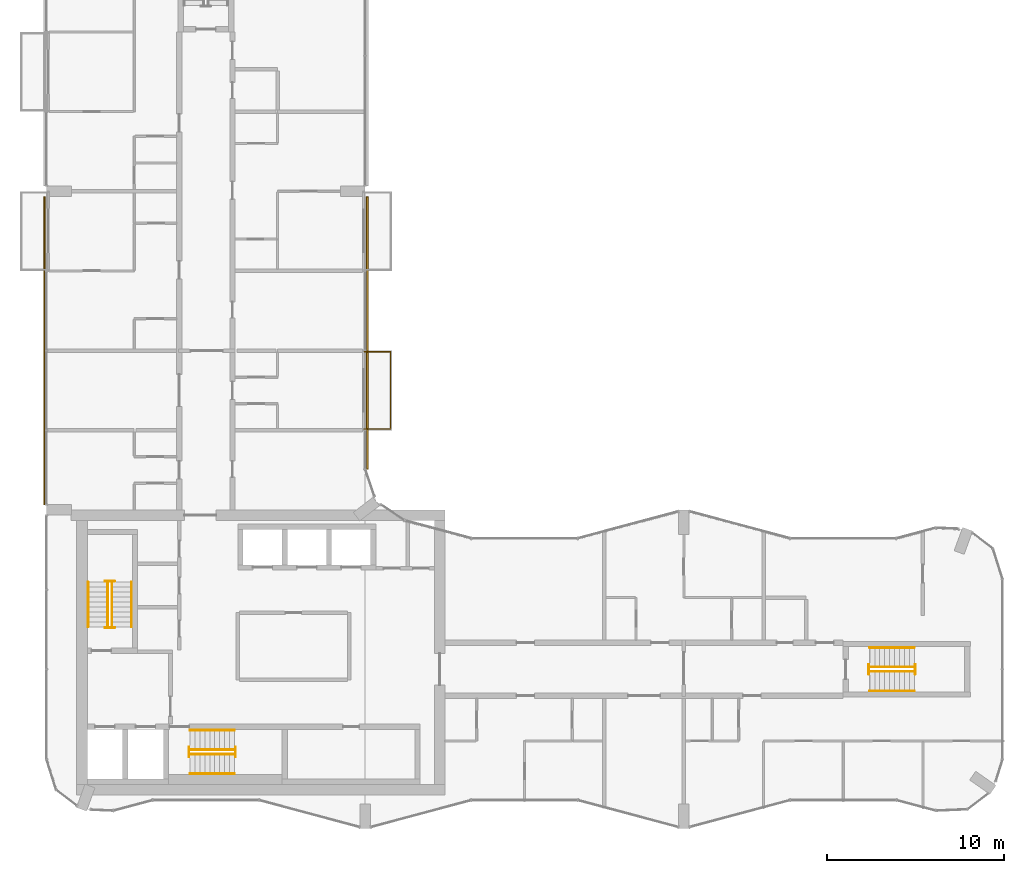
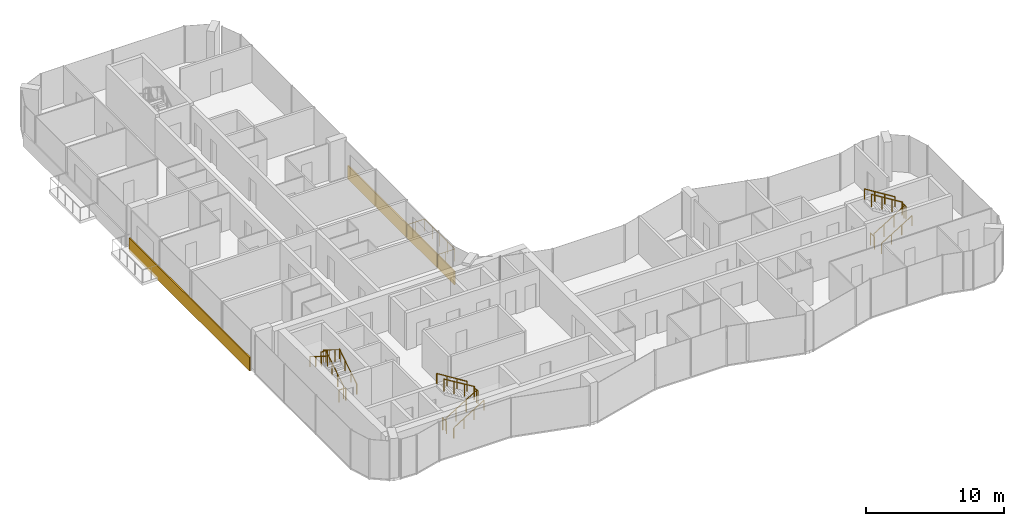
# One storey, part 14 of 15: 19 railings, 2 coverings.
"""IFC4 building model written with IfcOpenShell, lengths in metres."""

from ifc_helpers import new_model, si_unit, direction, frame, origin, origin_2d, place, context, subcontext, project, spatial, rectangle, circle, extrude, material, layer, layer_set, type_object, element, save


model = new_model("IFC4")

# Units and contexts
model_context = context("Model", 3, precision=1e-05, world=origin(), true_north=direction((0.0, 1.0)))
body_context = subcontext(model_context, "Body", "Model", "MODEL_VIEW")
ifc_project = project(units=[si_unit("LENGTHUNIT", "METRE"), si_unit("AREAUNIT", "SQUARE_METRE"), si_unit("VOLUMEUNIT", "CUBIC_METRE"), si_unit("PLANEANGLEUNIT", "RADIAN"), si_unit("MASSUNIT", "GRAM", prefix="KILO")], contexts=[model_context])

# Site, building, storey
site_placement = place(None, origin())
site = spatial("IfcSite", under=ifc_project, at=site_placement, CompositionType="ELEMENT")
building_placement = place(site_placement, origin())
building = spatial("IfcBuilding", under=site, at=building_placement, Name="Plateau Cross Towers", CompositionType="ELEMENT")
storey_placement = place(building_placement, frame((0.0, 0.0, 149.89990234375)))
storey = spatial("IfcBuildingStorey", under=building, at=storey_placement, Name="L38", CompositionType="ELEMENT", Elevation=149.89990234375)

# Railings
ifc_material_1 = material(Name="Stainless steel and toughened glass", Category="steel")
railing_type_1 = type_object("IfcRailingType", Name="Glass balustrade guard 1100", PredefinedType="GUARDRAIL", material=ifc_material_1)
railing_1_placement = place(storey_placement, frame((17.949951171875, 26.929931640625, 0.0)))
element("IfcRailing", 1, at=railing_1_placement, inside=storey, type_object=railing_type_1, Name="Guard guard1", PredefinedType="GUARDRAIL", context=body_context, shape_type="SweptSolid", body=[
    extrude(circle(Radius=0.02392578125, at=origin_2d()), frame((0.0, 0.0, 1.076171875), z_axis=(1.0, 0.0, 0.0), x_axis=(0.0, 1.0, 0.0)), (0.0, 0.0, 1.0), 1.47998046875),
    extrude(circle(Radius=0.02392578125, at=origin_2d()), frame((1.47998046875, 0.0, 1.076171875), z_axis=(0.0, -1.0, 0.0), x_axis=(1.0, 0.0, 0.0)), (0.0, 0.0, 1.0), 4.35986328125),
    extrude(circle(Radius=0.02392578125, at=origin_2d()), frame((1.47998046875, -4.35986328125, 1.076171875), z_axis=(-1.0, 0.0, 0.0), x_axis=(0.0, -1.0, 0.0)), (0.0, 0.0, 1.0), 1.47998046875),
    extrude(circle(Radius=0.02099609375, at=origin_2d()), origin(), (0.0, 0.0, 1.0), 1.052001953125),
    extrude(circle(Radius=0.02099609375, at=origin_2d()), frame((0.739990234375, 0.0, 0.0)), (0.0, 0.0, 1.0), 1.052001953125),
    extrude(circle(Radius=0.02099609375, at=origin_2d()), frame((1.47998046875, 0.0, 0.0)), (0.0, 0.0, 1.0), 1.052001953125),
    extrude(circle(Radius=0.02099609375, at=origin_2d()), frame((1.47998046875, -1.08984375, 0.0)), (0.0, 0.0, 1.0), 1.052001953125),
    extrude(circle(Radius=0.02099609375, at=origin_2d()), frame((1.47998046875, -2.179931640625, 0.0)), (0.0, 0.0, 1.0), 1.052001953125),
    extrude(circle(Radius=0.02099609375, at=origin_2d()), frame((1.47998046875, -3.27001953125, 0.0)), (0.0, 0.0, 1.0), 1.052001953125),
    extrude(circle(Radius=0.02099609375, at=origin_2d()), frame((1.47998046875, -4.35986328125, 0.0)), (0.0, 0.0, 1.0), 1.052001953125),
    extrude(circle(Radius=0.02099609375, at=origin_2d()), frame((0.739990234375, -4.35986328125, 0.0)), (0.0, 0.0, 1.0), 1.052001953125),
    extrude(circle(Radius=0.02099609375, at=origin_2d()), frame((0.0, -4.35986328125, 0.0)), (0.0, 0.0, 1.0), 1.052001953125),
])
railing_type_2 = type_object("IfcRailingType", Name="RL-GUARD-1100", PredefinedType="GUARDRAIL", material=ifc_material_1)
railing_2_placement = place(storey_placement, frame((3.699951171875, 11.39990234375, 0.175048828125)))
element("IfcRailing", 2, at=railing_2_placement, inside=storey, type_object=railing_type_2, Name="L38 ST-1 stair guard 1", PredefinedType="GUARDRAIL", context=body_context, shape_type="SweptSolid", body=[
    extrude(circle(Radius=0.02392578125, at=origin_2d()), frame((0.0, 0.0, 1.076171875), z_axis=(0.0, 0.848007534815, 0.529984170421), x_axis=(-1.0, 0.0, 0.0)), (0.0, 0.0, 1.0), 2.9716796875),
    extrude(circle(Radius=0.02099609375, at=origin_2d()), origin(), (0.0, 0.0, 1.0), 1.052001953125),
    extrude(circle(Radius=0.02099609375, at=origin_2d()), frame((0.0, 0.840087890625, 0.52490234375)), (0.0, 0.0, 1.0), 1.052001953125),
    extrude(circle(Radius=0.02099609375, at=origin_2d()), frame((0.0, 1.679931640625, 1.050048828125)), (0.0, 0.0, 1.0), 1.052001953125),
    extrude(circle(Radius=0.02099609375, at=origin_2d()), frame((0.0, 2.52001953125, 1.574951171875)), (0.0, 0.0, 1.0), 1.052001953125),
])
railing_3_placement = place(storey_placement, frame((3.85009765625, 13.969970703125, 1.75)))
element("IfcRailing", 3, at=railing_3_placement, inside=storey, type_object=railing_type_2, Name="L38 ST-1 stair guard 2", PredefinedType="GUARDRAIL", context=body_context, shape_type="SweptSolid", body=[
    extrude(circle(Radius=0.02392578125, at=origin_2d()), frame((0.0, 0.0, 1.076171875), z_axis=(-1.0, 0.0, 0.0), x_axis=(0.0, -1.0, 0.0)), (0.0, 0.0, 1.0), 0.550048828125),
    extrude(circle(Radius=0.02099609375, at=origin_2d()), origin(), (0.0, 0.0, 1.0), 1.052001953125),
    extrude(circle(Radius=0.02099609375, at=origin_2d()), frame((-0.550048828125, 0.0, 0.0)), (0.0, 0.0, 1.0), 1.052001953125),
])
railing_4_placement = place(storey_placement, frame((3.449951171875, 13.919921875, 1.925048828125)))
element("IfcRailing", 4, at=railing_4_placement, inside=storey, type_object=railing_type_2, Name="L38 ST-1 stair guard 3", PredefinedType="GUARDRAIL", context=body_context, shape_type="SweptSolid", body=[
    extrude(circle(Radius=0.02392578125, at=origin_2d()), frame((0.0, 0.0, 1.076171875), z_axis=(0.0, -0.852616386126, 0.522537365276), x_axis=(1.0, 0.0, 0.0)), (0.0, 0.0, 1.0), 3.01416015625),
    extrude(circle(Radius=0.02099609375, at=origin_2d()), origin(), (0.0, 0.0, 1.0), 1.052001953125),
    extrude(circle(Radius=0.02099609375, at=origin_2d()), frame((0.0, -0.856689453125, 0.52490234375)), (0.0, 0.0, 1.0), 1.052001953125),
    extrude(circle(Radius=0.02099609375, at=origin_2d()), frame((0.0, -1.713134765625, 1.050048828125)), (0.0, 0.0, 1.0), 1.052001953125),
    extrude(circle(Radius=0.02099609375, at=origin_2d()), frame((0.0, -2.56982421875, 1.574951171875)), (0.0, 0.0, 1.0), 1.052001953125),
])
railing_5_placement = place(storey_placement, frame((3.85009765625, 11.35009765625, 0.0)))
element("IfcRailing", 5, at=railing_5_placement, inside=storey, type_object=railing_type_2, Name="L38 ST-1 stair guard 4", PredefinedType="GUARDRAIL", context=body_context, shape_type="SweptSolid", body=[
    extrude(circle(Radius=0.02392578125, at=origin_2d()), frame((0.0, 0.0, 1.076171875), z_axis=(-1.0, 0.0, 0.0), x_axis=(0.0, -1.0, 0.0)), (0.0, 0.0, 1.0), 0.550048828125),
    extrude(circle(Radius=0.02099609375, at=origin_2d()), origin(), (0.0, 0.0, 1.0), 1.052001953125),
    extrude(circle(Radius=0.02099609375, at=origin_2d()), frame((-0.550048828125, 0.0, 0.0)), (0.0, 0.0, 1.0), 1.052001953125),
])
railing_6_placement = place(storey_placement, frame((8.10009765625, 4.199951171875, 0.175048828125)))
element("IfcRailing", 6, at=railing_6_placement, inside=storey, type_object=railing_type_2, Name="L38 ST-2 stair guard 1", PredefinedType="GUARDRAIL", context=body_context, shape_type="SweptSolid", body=[
    extrude(circle(Radius=0.02392578125, at=origin_2d()), frame((0.0, 0.0, 1.076171875), z_axis=(0.848007534815, 0.0, 0.529984170421), x_axis=(0.0, 1.0, 0.0)), (0.0, 0.0, 1.0), 2.9716796875),
    extrude(circle(Radius=0.02099609375, at=origin_2d()), origin(), (0.0, 0.0, 1.0), 1.052001953125),
    extrude(circle(Radius=0.02099609375, at=origin_2d()), frame((0.840087890625, 0.0, 0.52490234375)), (0.0, 0.0, 1.0), 1.052001953125),
    extrude(circle(Radius=0.02099609375, at=origin_2d()), frame((1.679931640625, 0.0, 1.050048828125)), (0.0, 0.0, 1.0), 1.052001953125),
    extrude(circle(Radius=0.02099609375, at=origin_2d()), frame((2.52001953125, 0.0, 1.574951171875)), (0.0, 0.0, 1.0), 1.052001953125),
])
railing_7_placement = place(storey_placement, frame((10.669921875, 4.050048828125, 1.75)))
element("IfcRailing", 7, at=railing_7_placement, inside=storey, type_object=railing_type_2, Name="L38 ST-2 stair guard 2", PredefinedType="GUARDRAIL", context=body_context, shape_type="SweptSolid", body=[
    extrude(circle(Radius=0.02392578125, at=origin_2d()), frame((0.0, 0.0, 1.076171875), z_axis=(0.0, 1.0, 0.0), x_axis=(-1.0, 0.0, 0.0)), (0.0, 0.0, 1.0), 0.550048828125),
    extrude(circle(Radius=0.02099609375, at=origin_2d()), origin(), (0.0, 0.0, 1.0), 1.052001953125),
    extrude(circle(Radius=0.02099609375, at=origin_2d()), frame((0.0, 0.550048828125, 0.0)), (0.0, 0.0, 1.0), 1.052001953125),
])
railing_8_placement = place(storey_placement, frame((10.6201171875, 4.449951171875, 1.925048828125)))
element("IfcRailing", 8, at=railing_8_placement, inside=storey, type_object=railing_type_2, Name="L38 ST-2 stair guard 3", PredefinedType="GUARDRAIL", context=body_context, shape_type="SweptSolid", body=[
    extrude(circle(Radius=0.02392578125, at=origin_2d()), frame((0.0, 0.0, 1.076171875), z_axis=(-0.852638500773, 0.0, 0.522501279423), x_axis=(0.0, -1.0, 0.0)), (0.0, 0.0, 1.0), 3.01416015625),
    extrude(circle(Radius=0.02099609375, at=origin_2d()), origin(), (0.0, 0.0, 1.0), 1.052001953125),
    extrude(circle(Radius=0.02099609375, at=origin_2d()), frame((-0.856689453125, 0.0, 0.52490234375)), (0.0, 0.0, 1.0), 1.052001953125),
    extrude(circle(Radius=0.02099609375, at=origin_2d()), frame((-1.71337890625, 0.0, 1.050048828125)), (0.0, 0.0, 1.0), 1.052001953125),
    extrude(circle(Radius=0.02099609375, at=origin_2d()), frame((-2.570068359375, 0.0, 1.574951171875)), (0.0, 0.0, 1.0), 1.052001953125),
])
railing_9_placement = place(storey_placement, frame((8.050048828125, 4.050048828125, 0.0)))
element("IfcRailing", 9, at=railing_9_placement, inside=storey, type_object=railing_type_2, Name="L38 ST-2 stair guard 4", PredefinedType="GUARDRAIL", context=body_context, shape_type="SweptSolid", body=[
    extrude(circle(Radius=0.02392578125, at=origin_2d()), frame((0.0, 0.0, 1.076171875), z_axis=(0.0, 1.0, 0.0), x_axis=(-1.0, 0.0, 0.0)), (0.0, 0.0, 1.0), 0.550048828125),
    extrude(circle(Radius=0.02099609375, at=origin_2d()), origin(), (0.0, 0.0, 1.0), 1.052001953125),
    extrude(circle(Radius=0.02099609375, at=origin_2d()), frame((0.0, 0.550048828125, 0.0)), (0.0, 0.0, 1.0), 1.052001953125),
])
railing_10_placement = place(storey_placement, frame((46.5, 8.875, 0.175048828125)))
element("IfcRailing", 10, at=railing_10_placement, inside=storey, type_object=railing_type_2, Name="L38 ES-E stair guard 1", PredefinedType="GUARDRAIL", context=body_context, shape_type="SweptSolid", body=[
    extrude(circle(Radius=0.02392578125, at=origin_2d()), frame((0.0, 0.0, 1.076171875), z_axis=(0.848007534815, 0.0, 0.529984170421), x_axis=(0.0, 1.0, 0.0)), (0.0, 0.0, 1.0), 2.9716796875),
    extrude(circle(Radius=0.02099609375, at=origin_2d()), origin(), (0.0, 0.0, 1.0), 1.052001953125),
    extrude(circle(Radius=0.02099609375, at=origin_2d()), frame((0.840087890625, 0.0, 0.52490234375)), (0.0, 0.0, 1.0), 1.052001953125),
    extrude(circle(Radius=0.02099609375, at=origin_2d()), frame((1.679931640625, 0.0, 1.050048828125)), (0.0, 0.0, 1.0), 1.052001953125),
    extrude(circle(Radius=0.02099609375, at=origin_2d()), frame((2.52001953125, 0.0, 1.574951171875)), (0.0, 0.0, 1.0), 1.052001953125),
])
railing_11_placement = place(storey_placement, frame((49.070068359375, 8.72509765625, 1.75)))
element("IfcRailing", 11, at=railing_11_placement, inside=storey, type_object=railing_type_2, Name="L38 ES-E stair guard 2", PredefinedType="GUARDRAIL", context=body_context, shape_type="SweptSolid", body=[
    extrude(circle(Radius=0.02392578125, at=origin_2d()), frame((0.0, 0.0, 1.076171875), z_axis=(0.0, 1.0, 0.0), x_axis=(-1.0, 0.0, 0.0)), (0.0, 0.0, 1.0), 0.5498046875),
    extrude(circle(Radius=0.02099609375, at=origin_2d()), origin(), (0.0, 0.0, 1.0), 1.052001953125),
    extrude(circle(Radius=0.02099609375, at=origin_2d()), frame((0.0, 0.5498046875, 0.0)), (0.0, 0.0, 1.0), 1.052001953125),
])
railing_12_placement = place(storey_placement, frame((49.02001953125, 9.125, 1.925048828125)))
element("IfcRailing", 12, at=railing_12_placement, inside=storey, type_object=railing_type_2, Name="L38 ES-E stair guard 3", PredefinedType="GUARDRAIL", context=body_context, shape_type="SweptSolid", body=[
    extrude(circle(Radius=0.02392578125, at=origin_2d()), frame((0.0, 0.0, 1.076171875), z_axis=(-0.852638500773, 0.0, 0.522501279423), x_axis=(0.0, -1.0, 0.0)), (0.0, 0.0, 1.0), 3.01416015625),
    extrude(circle(Radius=0.02099609375, at=origin_2d()), origin(), (0.0, 0.0, 1.0), 1.052001953125),
    extrude(circle(Radius=0.02099609375, at=origin_2d()), frame((-0.856689453125, 0.0, 0.52490234375)), (0.0, 0.0, 1.0), 1.052001953125),
    extrude(circle(Radius=0.02099609375, at=origin_2d()), frame((-1.71337890625, 0.0, 1.050048828125)), (0.0, 0.0, 1.0), 1.052001953125),
    extrude(circle(Radius=0.02099609375, at=origin_2d()), frame((-2.570068359375, 0.0, 1.574951171875)), (0.0, 0.0, 1.0), 1.052001953125),
])
railing_13_placement = place(storey_placement, frame((46.449951171875, 8.72509765625, 0.0)))
element("IfcRailing", 13, at=railing_13_placement, inside=storey, type_object=railing_type_2, Name="L38 ES-E stair guard 4", PredefinedType="GUARDRAIL", context=body_context, shape_type="SweptSolid", body=[
    extrude(circle(Radius=0.02392578125, at=origin_2d()), frame((0.0, 0.0, 1.076171875), z_axis=(0.0, 1.0, 0.0), x_axis=(-1.0, 0.0, 0.0)), (0.0, 0.0, 1.0), 0.5498046875),
    extrude(circle(Radius=0.02099609375, at=origin_2d()), origin(), (0.0, 0.0, 1.0), 1.052001953125),
    extrude(circle(Radius=0.02099609375, at=origin_2d()), frame((0.0, 0.5498046875, 0.0)), (0.0, 0.0, 1.0), 1.052001953125),
])
ifc_material_2 = material(Name="Black anodised aluminium", Category="aluminium")
railing_type_3 = type_object("IfcRailingType", Name="RL-HANDRAIL-900", PredefinedType="HANDRAIL", material=ifc_material_2)
railing_14_placement = place(storey_placement, frame((4.800048828125, 11.39990234375, 0.175048828125)))
element("IfcRailing", 14, at=railing_14_placement, inside=storey, type_object=railing_type_3, Name="L38 ST-1 stair handrail 1", PredefinedType="HANDRAIL", context=body_context, shape_type="SweptSolid", body=[
    extrude(circle(Radius=0.02392578125, at=origin_2d()), frame((0.0, 0.0, 0.8759765625), z_axis=(0.0, 0.848007534815, 0.529984170421), x_axis=(-1.0, 0.0, 0.0)), (0.0, 0.0, 1.0), 2.9716796875),
    extrude(circle(Radius=0.02099609375, at=origin_2d()), origin(), (0.0, 0.0, 1.0), 0.851806640625),
    extrude(circle(Radius=0.02099609375, at=origin_2d()), frame((0.0, 0.840087890625, 0.52490234375)), (0.0, 0.0, 1.0), 0.851806640625),
    extrude(circle(Radius=0.02099609375, at=origin_2d()), frame((0.0, 1.679931640625, 1.050048828125)), (0.0, 0.0, 1.0), 0.851806640625),
    extrude(circle(Radius=0.02099609375, at=origin_2d()), frame((0.0, 2.52001953125, 1.574951171875)), (0.0, 0.0, 1.0), 0.851806640625),
])
railing_15_placement = place(storey_placement, frame((2.35009765625, 13.919921875, 1.925048828125)))
element("IfcRailing", 15, at=railing_15_placement, inside=storey, type_object=railing_type_3, Name="L38 ST-1 stair handrail 2", PredefinedType="HANDRAIL", context=body_context, shape_type="SweptSolid", body=[
    extrude(circle(Radius=0.02392578125, at=origin_2d()), frame((0.0, 0.0, 0.8759765625), z_axis=(0.0, -0.848007534815, 0.529984170421), x_axis=(1.0, 0.0, 0.0)), (0.0, 0.0, 1.0), 2.9716796875),
    extrude(circle(Radius=0.02099609375, at=origin_2d()), origin(), (0.0, 0.0, 1.0), 0.851806640625),
    extrude(circle(Radius=0.02099609375, at=origin_2d()), frame((0.0, -0.840087890625, 0.52490234375)), (0.0, 0.0, 1.0), 0.851806640625),
    extrude(circle(Radius=0.02099609375, at=origin_2d()), frame((0.0, -1.679931640625, 1.050048828125)), (0.0, 0.0, 1.0), 0.851806640625),
    extrude(circle(Radius=0.02099609375, at=origin_2d()), frame((0.0, -2.52001953125, 1.574951171875)), (0.0, 0.0, 1.0), 0.851806640625),
])
railing_16_placement = place(storey_placement, frame((8.10009765625, 3.10009765625, 0.175048828125)))
element("IfcRailing", 16, at=railing_16_placement, inside=storey, type_object=railing_type_3, Name="L38 ST-2 stair handrail 1", PredefinedType="HANDRAIL", context=body_context, shape_type="SweptSolid", body=[
    extrude(circle(Radius=0.02392578125, at=origin_2d()), frame((0.0, 0.0, 0.8759765625), z_axis=(0.848007534815, 0.0, 0.529984170421), x_axis=(0.0, 1.0, 0.0)), (0.0, 0.0, 1.0), 2.9716796875),
    extrude(circle(Radius=0.02099609375, at=origin_2d()), origin(), (0.0, 0.0, 1.0), 0.851806640625),
    extrude(circle(Radius=0.02099609375, at=origin_2d()), frame((0.840087890625, 0.0, 0.52490234375)), (0.0, 0.0, 1.0), 0.851806640625),
    extrude(circle(Radius=0.02099609375, at=origin_2d()), frame((1.679931640625, 0.0, 1.050048828125)), (0.0, 0.0, 1.0), 0.851806640625),
    extrude(circle(Radius=0.02099609375, at=origin_2d()), frame((2.52001953125, 0.0, 1.574951171875)), (0.0, 0.0, 1.0), 0.851806640625),
])
railing_17_placement = place(storey_placement, frame((10.6201171875, 5.550048828125, 1.925048828125)))
element("IfcRailing", 17, at=railing_17_placement, inside=storey, type_object=railing_type_3, Name="L38 ST-2 stair handrail 2", PredefinedType="HANDRAIL", context=body_context, shape_type="SweptSolid", body=[
    extrude(circle(Radius=0.02392578125, at=origin_2d()), frame((0.0, 0.0, 0.8759765625), z_axis=(-0.848007534815, 0.0, 0.529984170421), x_axis=(0.0, -1.0, 0.0)), (0.0, 0.0, 1.0), 2.9716796875),
    extrude(circle(Radius=0.02099609375, at=origin_2d()), origin(), (0.0, 0.0, 1.0), 0.851806640625),
    extrude(circle(Radius=0.02099609375, at=origin_2d()), frame((-0.840087890625, 0.0, 0.52490234375)), (0.0, 0.0, 1.0), 0.851806640625),
    extrude(circle(Radius=0.02099609375, at=origin_2d()), frame((-1.679931640625, 0.0, 1.050048828125)), (0.0, 0.0, 1.0), 0.851806640625),
    extrude(circle(Radius=0.02099609375, at=origin_2d()), frame((-2.52001953125, 0.0, 1.574951171875)), (0.0, 0.0, 1.0), 0.851806640625),
])
railing_18_placement = place(storey_placement, frame((46.5, 7.77490234375, 0.175048828125)))
element("IfcRailing", 18, at=railing_18_placement, inside=storey, type_object=railing_type_3, Name="L38 ES-E stair handrail 1", PredefinedType="HANDRAIL", context=body_context, shape_type="SweptSolid", body=[
    extrude(circle(Radius=0.02392578125, at=origin_2d()), frame((0.0, 0.0, 0.8759765625), z_axis=(0.848007534815, 0.0, 0.529984170421), x_axis=(0.0, 1.0, 0.0)), (0.0, 0.0, 1.0), 2.9716796875),
    extrude(circle(Radius=0.02099609375, at=origin_2d()), origin(), (0.0, 0.0, 1.0), 0.851806640625),
    extrude(circle(Radius=0.02099609375, at=origin_2d()), frame((0.840087890625, 0.0, 0.52490234375)), (0.0, 0.0, 1.0), 0.851806640625),
    extrude(circle(Radius=0.02099609375, at=origin_2d()), frame((1.679931640625, 0.0, 1.050048828125)), (0.0, 0.0, 1.0), 0.851806640625),
    extrude(circle(Radius=0.02099609375, at=origin_2d()), frame((2.52001953125, 0.0, 1.574951171875)), (0.0, 0.0, 1.0), 0.851806640625),
])
railing_19_placement = place(storey_placement, frame((49.02001953125, 10.22509765625, 1.925048828125)))
element("IfcRailing", 19, at=railing_19_placement, inside=storey, type_object=railing_type_3, Name="L38 ES-E stair handrail 2", PredefinedType="HANDRAIL", context=body_context, shape_type="SweptSolid", body=[
    extrude(circle(Radius=0.02392578125, at=origin_2d()), frame((0.0, 0.0, 0.8759765625), z_axis=(-0.848007534815, 0.0, 0.529984170421), x_axis=(0.0, -1.0, 0.0)), (0.0, 0.0, 1.0), 2.9716796875),
    extrude(circle(Radius=0.02099609375, at=origin_2d()), origin(), (0.0, 0.0, 1.0), 0.851806640625),
    extrude(circle(Radius=0.02099609375, at=origin_2d()), frame((-0.840087890625, 0.0, 0.52490234375)), (0.0, 0.0, 1.0), 0.851806640625),
    extrude(circle(Radius=0.02099609375, at=origin_2d()), frame((-1.679931640625, 0.0, 1.050048828125)), (0.0, 0.0, 1.0), 0.851806640625),
    extrude(circle(Radius=0.02099609375, at=origin_2d()), frame((-2.52001953125, 0.0, 1.574951171875)), (0.0, 0.0, 1.0), 0.851806640625),
])

# Coverings
ifc_material_3 = material(Name="Precast concrete cladding C40/50", Category="concrete")
ifc_layer = layer(ifc_material_3, 0.10009765625)
ifc_layer_set = layer_set([ifc_layer], Name="Precast concrete cladding C40/50")
covering_type = type_object("IfcCoveringType", Name="Spandrel band cladding 100x1200", PredefinedType="CLADDING", material=ifc_layer_set)
covering_1_placement = place(storey_placement, frame((18.1201171875, 28.001220703125, -0.25), z_axis=(0.0, 0.0, 1.0), x_axis=(0.0, 1.0, 0.0)))
element("IfcCovering", 20, at=covering_1_placement, inside=storey, type_object=covering_type, Name="Spandrel band", PredefinedType="CLADDING", context=body_context, shape_type="SweptSolid", body=[
    extrude(rectangle(XDim=15.397705078125, YDim=0.10009765625, at=origin_2d()), origin(), (0.0, 0.0, 1.0), 1.199951171875),
])
covering_2_placement = place(storey_placement, frame((-0.1201171875, 27.0, -0.25), z_axis=(0.0, 0.0, 1.0), x_axis=(0.0, -1.0, 0.0)))
element("IfcCovering", 21, at=covering_2_placement, inside=storey, type_object=covering_type, Name="Spandrel band", PredefinedType="CLADDING", context=body_context, shape_type="SweptSolid", body=[
    extrude(rectangle(XDim=17.39990234375, YDim=0.10009765625, at=origin_2d()), origin(), (0.0, 0.0, 1.0), 1.199951171875),
])

save(model, "model.ifc")
